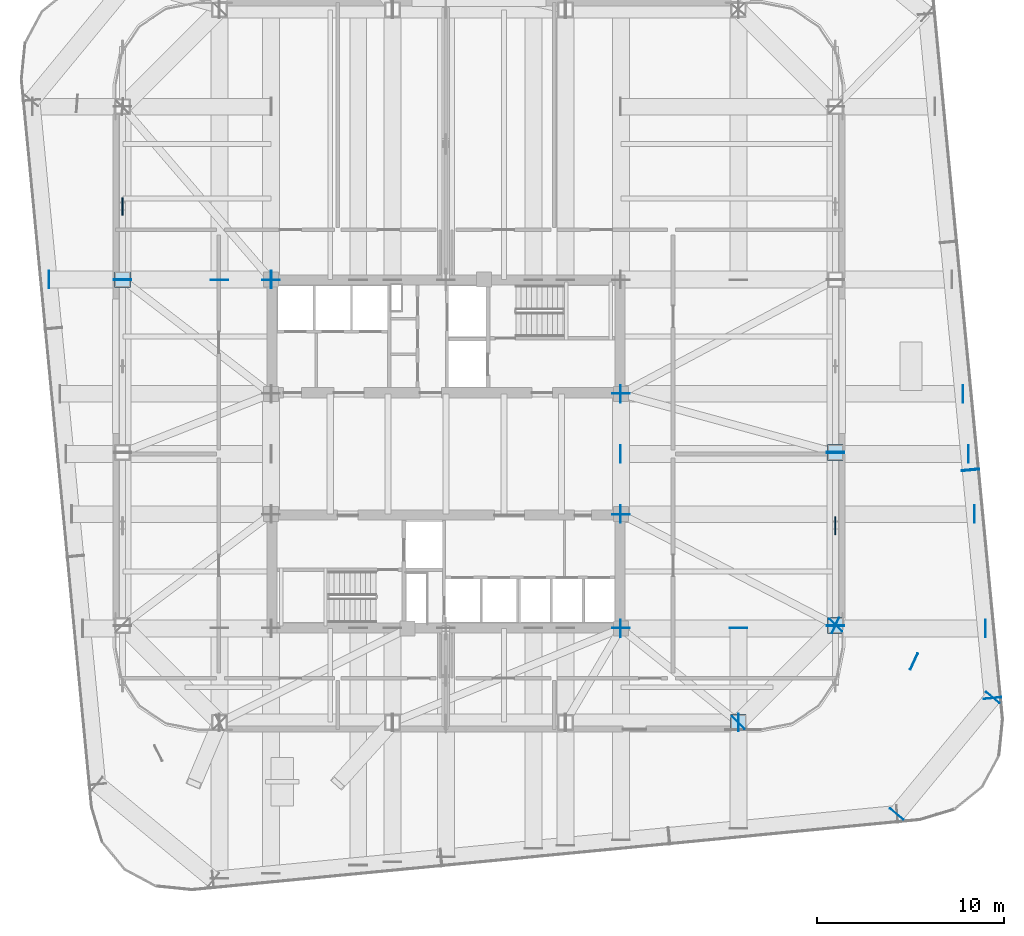
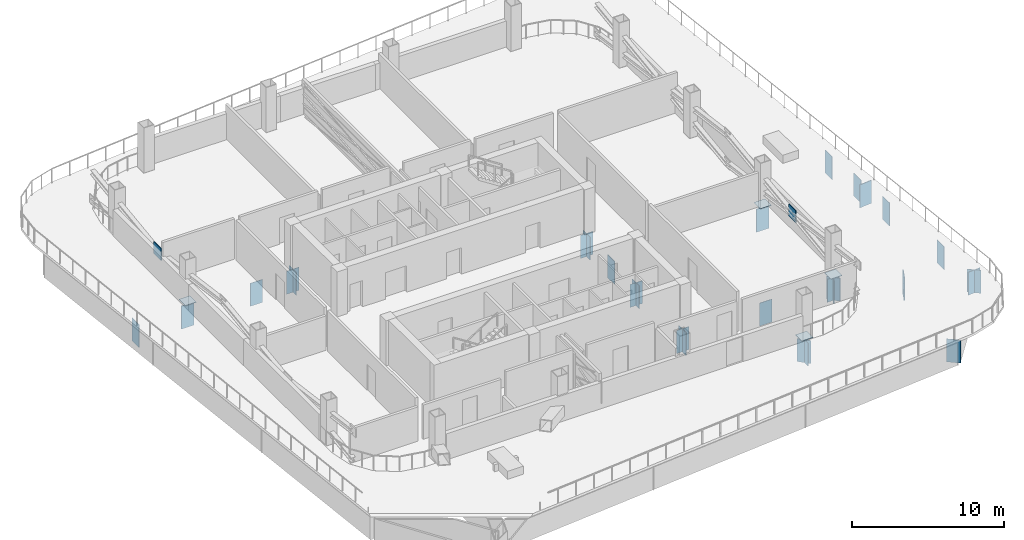
# One storey, part 6 of 15: 37 plates.
"""IFC4 building model written with IfcOpenShell, lengths in metres."""

from ifc_helpers import new_model, si_unit, direction, frame, origin, origin_2d, place, context, subcontext, project, spatial, rectangle, extrude, material, layer, layer_set, type_object, element, save


model = new_model("IFC4")

# Units and contexts
model_context = context("Model", 3, precision=1e-05, world=origin(), true_north=direction((0.0, 1.0)))
body_context = subcontext(model_context, "Body", "Model", "MODEL_VIEW")
ifc_project = project(units=[si_unit("LENGTHUNIT", "METRE"), si_unit("AREAUNIT", "SQUARE_METRE"), si_unit("VOLUMEUNIT", "CUBIC_METRE"), si_unit("PLANEANGLEUNIT", "RADIAN"), si_unit("MASSUNIT", "GRAM", prefix="KILO")], contexts=[model_context])

# Site, building, storey
site_placement = place(None, origin())
site = spatial("IfcSite", under=ifc_project, at=site_placement, CompositionType="ELEMENT")
building_placement = place(site_placement, origin())
building = spatial("IfcBuilding", under=site, at=building_placement, Name="Qhalaya Broadcast Tower", CompositionType="ELEMENT")
storey_placement = place(building_placement, frame((0.0, 0.0, 101.25)))
storey = spatial("IfcBuildingStorey", under=building, at=storey_placement, Name="L29", CompositionType="ELEMENT", Elevation=101.25)

# Plates
ifc_material = material(Name="Structural Steel ASTM A572 Grade 50", Category="steel")
ifc_layer_1 = layer(ifc_material, 0.4599609375, Name="Structural Steel ASTM A572 Grade 50")
ifc_layer_set_1 = layer_set([ifc_layer_1], Name="Structural Steel ASTM A572 Grade 50")
plate_type_1 = type_object("IfcPlateType", Name="Hollow Box Member End Cap Plate CP-01", PredefinedType="USERDEFINED", material=ifc_layer_set_1)
for number, where, z_axis, x_axis, name in (
    (1, (15.68603515625, -13.7900390625, -2.10009765625), (0.0, 0.0, 1.0), (0.0, 1.0, 0.0), "L29 Hollow Girder End Cap L29-SPR-03-B"),
    (2, (15.65869140625, -13.80126953125, -2.10009765625), (0.0, 0.0, 1.0), (-0.707106781187, 0.707106781187, 0.0), "L29 Hollow Girder End Cap L29-SPR-04-A"),
    (3, (20.88134765625, -8.57861328125, -2.10009765625), (0.0, 0.0, 1.0), (-0.707106781187, 0.707106781187, 0.0), "L29 Hollow Girder End Cap L29-SPR-04-B"),
    (4, (20.8701171875, -8.60595703125, -2.10009765625), (0.0, 0.0, 1.0), (-1.0, 0.0, 0.0), "L29 Hollow Girder End Cap L29-SPR-05-A"),
    (5, (20.8701171875, 0.692626953125, -2.10009765625), (0.0, 0.0, 1.0), (-1.0, 0.0, 0.0), "L29 Hollow Girder End Cap L29-SPR-05-B"),
    (6, (20.8701171875, 0.66064453125, -2.10009765625), (0.0, 0.0, 1.0), (-1.0, 0.0, 0.0), "L29 Hollow Girder End Cap L29-SPR-06-A"),
    (7, (-17.330078125, 9.92724609375, -2.10009765625), (0.0, 0.0, 1.0), (1.0, 0.0, 0.0), "L29 Hollow Girder End Cap L29-SPR-13-B"),
    (8, (-17.330078125, 9.959228515625, -2.10009765625), (0.0, 0.0, 1.0), (1.0, 0.0, 0.0), "L29 Hollow Girder End Cap L29-SPR-14-A"),
    (9, (24.155029296875, -18.69775390625, -2.10009765625), (0.0, 0.0, 1.0), (-0.771624583388, 0.636078220278, 0.0), "L29 Hollow Girder End Cap L29-TGL-04-A"),
    (10, (29.302734375, -12.453125, -2.10009765625), (0.0, 0.0, 1.0), (-0.771624583388, 0.636078220278, 0.0), "L29 Hollow Girder End Cap L29-TGL-04-B"),
    (11, (29.294189453125, -12.481201171875, -2.10009765625), (0.0, 0.0, 1.0), (-0.995396198367, -0.09584575252, 0.0), "L29 Hollow Girder End Cap L29-TGL-05-A"),
    (12, (28.115478515625, -0.2392578125, -2.10009765625), (0.0, 0.0, 1.0), (-0.995396198367, -0.09584575252, 0.0), "L29 Hollow Girder End Cap L29-TGL-05-B"),
    (13, (28.118408203125, -0.27099609375, -2.10009765625), (0.0, 0.0, 1.0), (-0.995396198367, -0.09584575252, 0.0), "L29 Hollow Girder End Cap L29-TGL-06-A"),
    (14, (-9.375, 9.93408203125, -2.10009765625), (0.0, 0.0, 1.0), (-1.0, 0.0, 0.0), "L29 Hollow Girder End Cap L29-TGINW-1-A"),
    (15, (9.35888671875, 0.60009765625, -2.10009765625), (0.0, 0.0, 1.0), (0.0, 1.0, 0.0), "L29 Hollow Girder End Cap L29-TGIYE-1-A"),
    (16, (28.010498046875, 0.60009765625, -2.10009765625), (0.0, 0.0, 1.0), (0.0, 1.0, 0.0), "L29 Hollow Girder End Cap L29-TGIYE-1-B"),
    (17, (9.375, -8.73388671875, -2.10009765625), (0.0, 0.0, 1.0), (-1.0, 0.0, 0.0), "L29 Hollow Girder End Cap L29-TGISE-1-B"),
    (18, (9.375, -2.64111328125, -2.10009765625), (0.0, 0.0, 1.0), (-1.0, 0.0, 0.0), "L29 Hollow Girder End Cap L29-TGIME-1-A"),
    (19, (9.375, 3.841064453125, -2.10009765625), (0.0, 0.0, 1.0), (-1.0, 0.0, 0.0), "L29 Hollow Girder End Cap L29-TGIME-1-B"),
    (20, (9.35888671875, -8.75, -2.10009765625), (0.0, 0.0, 1.0), (0.0, 1.0, 0.0), "L29 Hollow Girder End Cap L29-TGIY1E-1-A"),
    (21, (28.91064453125, -8.75, -2.10009765625), (0.0, 0.0, 1.0), (0.0, 1.0, 0.0), "L29 Hollow Girder End Cap L29-TGIY1E-1-B"),
    (22, (9.35888671875, -2.625, -2.10009765625), (0.0, 0.0, 1.0), (0.0, 1.0, 0.0), "L29 Hollow Girder End Cap L29-TGIY2E-1-A"),
    (23, (28.32080078125, -2.625, -2.10009765625), (0.0, 0.0, 1.0), (0.0, 1.0, 0.0), "L29 Hollow Girder End Cap L29-TGIY2E-1-B"),
    (24, (9.35888671875, 3.824951171875, -2.10009765625), (0.0, 0.0, 1.0), (0.0, 1.0, 0.0), "L29 Hollow Girder End Cap L29-TGIY3E-1-A"),
    (25, (27.69970703125, 3.824951171875, -2.10009765625), (0.0, 0.0, 1.0), (0.0, 1.0, 0.0), "L29 Hollow Girder End Cap L29-TGIY3E-1-B"),
    (26, (-21.264404296875, 9.949951171875, -2.10009765625), (0.0, 0.0, 1.0), (0.0, 1.0, 0.0), "L29 Hollow Girder End Cap L29-TGIY4W-1-A"),
    (27, (-9.35888671875, 9.949951171875, -2.10009765625), (0.0, 0.0, 1.0), (0.0, 1.0, 0.0), "L29 Hollow Girder End Cap L29-TGIY4W-1-B"),
    (28, (15.669921875, -8.73388671875, -2.10009765625), (0.0, 0.0, 1.0), (-1.0, 0.0, 0.0), "L29 Hollow Girder End Cap L29-TGC-04-B"),
):
    element("IfcPlate", number, at=place(storey_placement, frame(where, z_axis=z_axis, x_axis=x_axis)), inside=storey, type_object=plate_type_1, Name=name, ObjectType="COVER_PLATE", PredefinedType="USERDEFINED", context=body_context, shape_type="SweptSolid", body=[
        extrude(rectangle(XDim=0.93994140625, YDim=0.031982421875, at=origin_2d()), origin(), (0.0, 0.0, 1.0), 1.840087890625),
    ])
plate_1_placement = place(storey_placement, frame((20.8701171875, -8.590087890625, -2.080078125), z_axis=(0.0, 0.0, 1.0), x_axis=(-0.417993921399, -0.908449823421, 0.0)))
element("IfcPlate", 29, at=plate_1_placement, inside=storey, type_object=plate_type_1, Name="L29 Transfer Box End Cap 05", ObjectType="COVER_PLATE", PredefinedType="USERDEFINED", context=body_context, shape_type="SweptSolid", body=[
    extrude(rectangle(XDim=0.919921875, YDim=0.035888671875, at=origin_2d()), origin(), (0.0, 0.0, 1.0), 1.800048828125),
])
plate_2_placement = place(storey_placement, frame((-12.1298828125, 9.93408203125, -2.10009765625), z_axis=(0.0, 0.0, 1.0), x_axis=(-1.0, 0.0, 0.0)))
element("IfcPlate", 30, at=plate_2_placement, inside=storey, type_object=plate_type_1, Name="L29 Hollow Girder End Cap L29-TGC-12-A", ObjectType="COVER_PLATE", PredefinedType="USERDEFINED", context=body_context, shape_type="SweptSolid", body=[
    extrude(rectangle(XDim=0.93994140625, YDim=0.031982421875, at=origin_2d()), origin(), (0.0, 0.0, 1.0), 1.840087890625),
])
for number, where, z_axis, x_axis, name in (
    (31, (15.669921875, -13.7900390625, -0.0322265625), (0.0, 0.0, 1.0), (1.0, 0.0, 0.0), "L29 Hollow Box Column Base Cap Plate COL-NK04"),
    (32, (20.8701171875, -8.590087890625, -0.0322265625), (0.0, 0.0, 1.0), (0.0, 1.0, 0.0), "L29 Hollow Box Column Base Cap Plate COL-NK05"),
    (33, (20.8701171875, 0.6767578125, -0.0322265625), (0.0, 0.0, 1.0), (0.0, 1.0, 0.0), "L29 Hollow Box Column Base Cap Plate COL-NK06"),
    (34, (-17.330078125, 9.943359375, -0.0322265625), (0.0, 0.0, 1.0), (0.0, 1.0, 0.0), "L29 Hollow Box Column Base Cap Plate COL-NK14"),
):
    element("IfcPlate", number, at=place(storey_placement, frame(where, z_axis=z_axis, x_axis=x_axis)), inside=storey, type_object=plate_type_1, Name=name, ObjectType="COVER_PLATE", PredefinedType="USERDEFINED", context=body_context, shape_type="SweptSolid", body=[
        extrude(rectangle(XDim=0.840087890625, YDim=0.840087890625, at=origin_2d()), origin(), (0.0, 0.0, 1.0), 0.031982421875),
    ])
ifc_layer_2 = layer(ifc_material, 0.06005859375, Name="Structural Steel ASTM A572 Grade 50")
ifc_layer_set_2 = layer_set([ifc_layer_2], Name="Structural Steel ASTM A572 Grade 50")
plate_type_2 = type_object("IfcPlateType", Name="Outrigger Core Embed Gusset Plate NP-02", PredefinedType="USERDEFINED", material=ifc_layer_set_2)
for number, where, z_axis, x_axis, name in (
    (35, (-17.330078125, 13.860107421875, 1.13525390625), (0.0, 0.0, 1.0), (0.0, 1.0, 0.0), "L29 Belt Truss X-Crossing Gusset W2"),
    (36, (20.8701171875, -3.239990234375, 1.13525390625), (0.0, 0.0, 1.0), (0.0, 1.0, 0.0), "L29 Belt Truss X-Crossing Gusset E1"),
):
    element("IfcPlate", number, at=place(storey_placement, frame(where, z_axis=z_axis, x_axis=x_axis)), inside=storey, type_object=plate_type_2, Name=name, ObjectType="GUSSET_PLATE", PredefinedType="USERDEFINED", context=body_context, shape_type="SweptSolid", body=[
        extrude(rectangle(XDim=0.949951171875, YDim=0.06005859375, at=origin_2d()), origin(), (0.0, 0.0, 1.0), 0.949951171875),
    ])
ifc_layer_3 = layer(ifc_material, 0.044921875, Name="Structural Steel ASTM A572 Grade 50")
ifc_layer_set_3 = layer_set([ifc_layer_3], Name="Structural Steel ASTM A572 Grade 50")
plate_type_3 = type_object("IfcPlateType", Name="Transfer Girder Web Stiffener Plate WS-01", PredefinedType="USERDEFINED", material=ifc_layer_set_3)
plate_3_placement = place(storey_placement, frame((25.081298828125, -10.527587890625, -2.080078125), z_axis=(0.0, 0.0, 1.0), x_axis=(-0.417993921399, -0.908449823421, 0.0)))
element("IfcPlate", 37, at=plate_3_placement, inside=storey, type_object=plate_type_3, Name="L29 Transfer Girder Stiffener 05", ObjectType="STIFFENER_PLATE", PredefinedType="USERDEFINED", context=body_context, shape_type="SweptSolid", body=[
    extrude(rectangle(XDim=0.93994140625, YDim=0.044921875, at=origin_2d()), origin(), (0.0, 0.0, 1.0), 1.800048828125),
])

save(model, "model.ifc")
